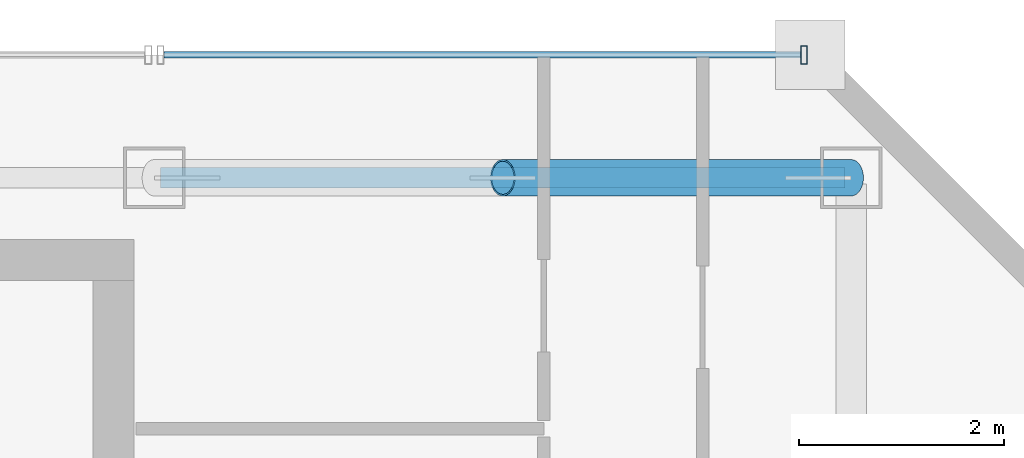
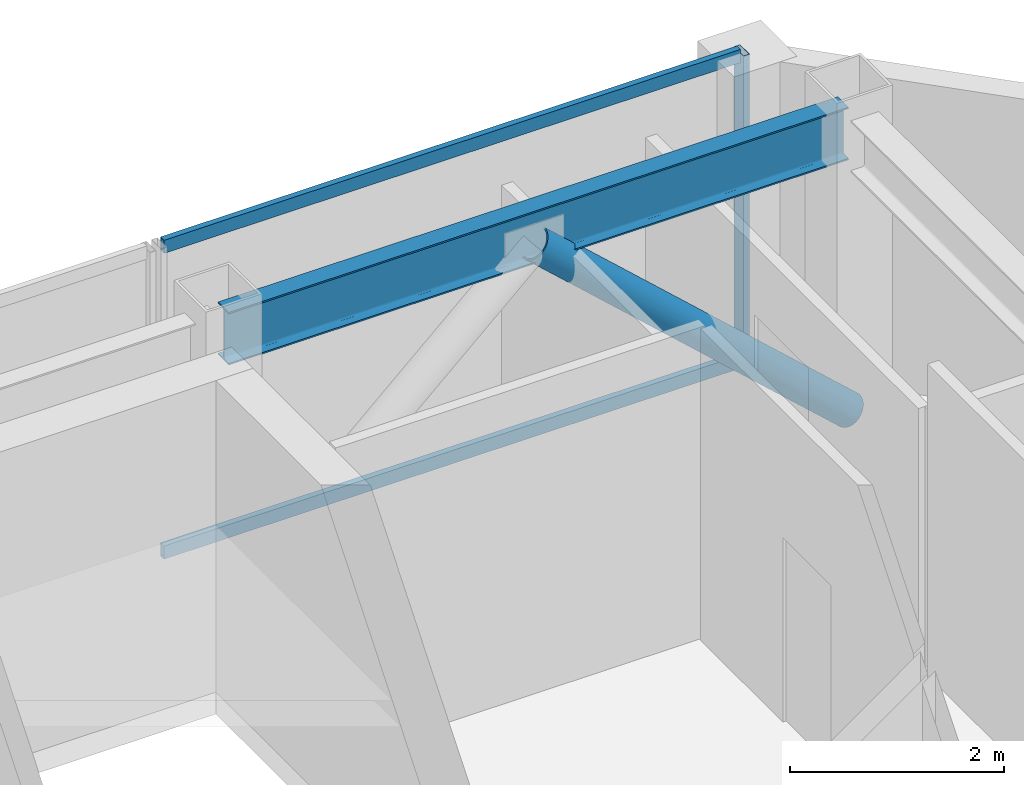
# One storey, part 24 of 32: 4 members, 1 beam, 1 element without a shape of its own.
"""IFC4 building model written with IfcOpenShell, lengths in metres."""

from ifc_helpers import new_model, si_unit, direction, frame, origin, origin_2d, place, context, subcontext, project, spatial, hollow_rectangle, hollow_circle, i_section, extrude, material, material_profile, profile_set, type_object, element, aggregate, save


model = new_model("IFC4")

# Units and contexts
model_context = context("Model", 3, precision=1e-05, world=origin(), true_north=direction((0.0, 1.0)))
body_context = subcontext(model_context, "Body", "Model", "MODEL_VIEW")
ifc_project = project(units=[si_unit("LENGTHUNIT", "METRE"), si_unit("AREAUNIT", "SQUARE_METRE"), si_unit("VOLUMEUNIT", "CUBIC_METRE"), si_unit("PLANEANGLEUNIT", "RADIAN"), si_unit("MASSUNIT", "GRAM", prefix="KILO")], contexts=[model_context])

# Site, building, storey
site_placement = place(None, origin())
site = spatial("IfcSite", under=ifc_project, at=site_placement, CompositionType="ELEMENT")
building_placement = place(site_placement, origin())
building = spatial("IfcBuilding", under=site, at=building_placement, Name="Saevonmaru Cultural Tower", CompositionType="ELEMENT")
storey_placement = place(building_placement, frame((0.0, 0.0, 264.800048828125)))
storey = spatial("IfcBuildingStorey", under=building, at=storey_placement, Name="L62", CompositionType="ELEMENT", Elevation=264.800048828125)

# Beam
ifc_material_1 = material(Name="Steel SM355", Category="steel")
ifc_material_profile_1 = material_profile(ifc_material_1, i_section(OverallWidth=0.199951171875, OverallDepth=0.60009765625, WebThickness=0.010986328125, FlangeThickness=0.01708984375, FilletRadius=0.02197265625, at=origin_2d()), Name="H-600x200x11x17")
ifc_profile_set_1 = profile_set([ifc_material_profile_1], Name="Steel SM355")
beam_type = type_object("IfcBeamType", Name="BM-SP-H600", PredefinedType="SPANDREL", material=ifc_profile_set_1)
beam_placement = place(storey_placement, frame((46.4599609375, 54.800048828125, 3.25), z_axis=(1.0, 0.0, 0.0), x_axis=(0.0, 1.0, 0.0)))
element("IfcBeam", 1, at=beam_placement, inside=storey, type_object=beam_type, Name="L62 North Spine Girder 5", PredefinedType="SPANDREL", context=body_context, shape_type="SweptSolid", body=[
    extrude(i_section(OverallWidth=0.199951171875, OverallDepth=0.60009765625, WebThickness=0.010986328125, FlangeThickness=0.01708984375, FilletRadius=0.02197265625, at=origin_2d()), origin(), (0.0, 0.0, 1.0), 6.679931640625),
])

# Member
ifc_material_profile_2 = material_profile(ifc_material_1, hollow_circle(Radius=0.177734375, WallThickness=0.01611328125, at=origin_2d()), Name="CHS-355.6x16")
ifc_profile_set_2 = profile_set([ifc_material_profile_2], Name="Steel SM355")
member_type_1 = type_object("IfcMemberType", Name="MB-PBR-CHS356", PredefinedType="BRACE", material=ifc_profile_set_2)
member_1_placement = place(storey_placement, frame((53.199951171875, 54.800048828125, 0.02001953125), z_axis=(-0.738962060105, 0.0, 0.673747039864), x_axis=(0.0, -1.0, 0.0)))
element("IfcMember", 2, at=member_1_placement, inside=storey, type_object=member_type_1, Name="L62 Perimeter Braced-Tube Diagonal EN2", PredefinedType="BRACE", context=body_context, shape_type="SweptSolid", body=[
    extrude(hollow_circle(Radius=0.177734375, WallThickness=0.01611328125, at=origin_2d()), origin(), (0.0, 0.0, 1.0), 4.600830078125),
])

# Curtain wall, members
ifc_material_2 = material(Name="Satin Bronze Anodised Aluminium", Category="aluminium")
curtain_wall_type = type_object("IfcCurtainWallType", Name="CW-TYP-B", PredefinedType="NOTDEFINED", material=ifc_material_2)
curtain_wall_placement = place(storey_placement, origin())
curtain_wall = element("IfcCurtainWall", 3, at=curtain_wall_placement, inside=storey, type_object=curtain_wall_type, Name="L62 East Braced Bay Spandrel Curtain Wall E10A", PredefinedType="NOTDEFINED")
ifc_material_profile_3 = material_profile(ifc_material_2, hollow_rectangle(XDim=0.06494140625, YDim=0.179931640625, WallThickness=0.00390625, at=origin_2d()), Name="ALU-MULL-180x65x4")
ifc_profile_set_3 = profile_set([ifc_material_profile_3], Name="Satin Bronze Anodised Aluminium")
member_type_2 = type_object("IfcMemberType", Name="ML-CW-180x65", PredefinedType="MULLION", material=ifc_profile_set_3)
member_2_placement = place(storey_placement, frame((52.739990234375, 56.0, 0.0), z_axis=(0.0, 0.0, 1.0), x_axis=(-1.0, 0.0, 0.0)))
member_2 = element("IfcMember", 4, at=member_2_placement, type_object=member_type_2, Name="CW-TW-L62-E10A mullion 1", PredefinedType="MULLION", context=body_context, shape_type="SweptSolid", body=[
    extrude(hollow_rectangle(XDim=0.06494140625, YDim=0.179931640625, WallThickness=0.00390625, at=origin_2d()), origin(), (0.0, 0.0, 1.0), 3.550048828125),
])
ifc_material_profile_4 = material_profile(ifc_material_2, hollow_rectangle(XDim=0.06494140625, YDim=0.14990234375, WallThickness=0.00390625, at=origin_2d()), Name="ALU-TRAN-150x65x4")
ifc_profile_set_4 = profile_set([ifc_material_profile_4], Name="Satin Bronze Anodised Aluminium")
member_type_3 = type_object("IfcMemberType", Name="TR-CW-150x65", PredefinedType="USERDEFINED", material=ifc_profile_set_4)
member_3_placement = place(storey_placement, frame((52.70751953125, 56.0, 0.032470703125), z_axis=(-1.0, 0.0, 0.0), x_axis=(0.0, -1.0, 0.0)))
member_3 = element("IfcMember", 5, at=member_3_placement, type_object=member_type_3, Name="CW-TW-L62-E10A transom 1.1", ObjectType="TRANSOM", PredefinedType="USERDEFINED", context=body_context, shape_type="SweptSolid", body=[
    extrude(hollow_rectangle(XDim=0.06494140625, YDim=0.14990234375, WallThickness=0.00390625, at=origin_2d()), origin(), (0.0, 0.0, 1.0), 6.215087890625),
])
member_4_placement = place(storey_placement, frame((52.70751953125, 56.0, 3.517333984375), z_axis=(-1.0, 0.0, 0.0), x_axis=(0.0, -1.0, 0.0)))
member_4 = element("IfcMember", 6, at=member_4_placement, type_object=member_type_3, Name="CW-TW-L62-E10A transom 1.2", ObjectType="TRANSOM", PredefinedType="USERDEFINED", context=body_context, shape_type="SweptSolid", body=[
    extrude(hollow_rectangle(XDim=0.06494140625, YDim=0.14990234375, WallThickness=0.00390625, at=origin_2d()), origin(), (0.0, 0.0, 1.0), 6.215087890625),
])
aggregate(curtain_wall, [member_2, member_3, member_4])

save(model, "model.ifc")
